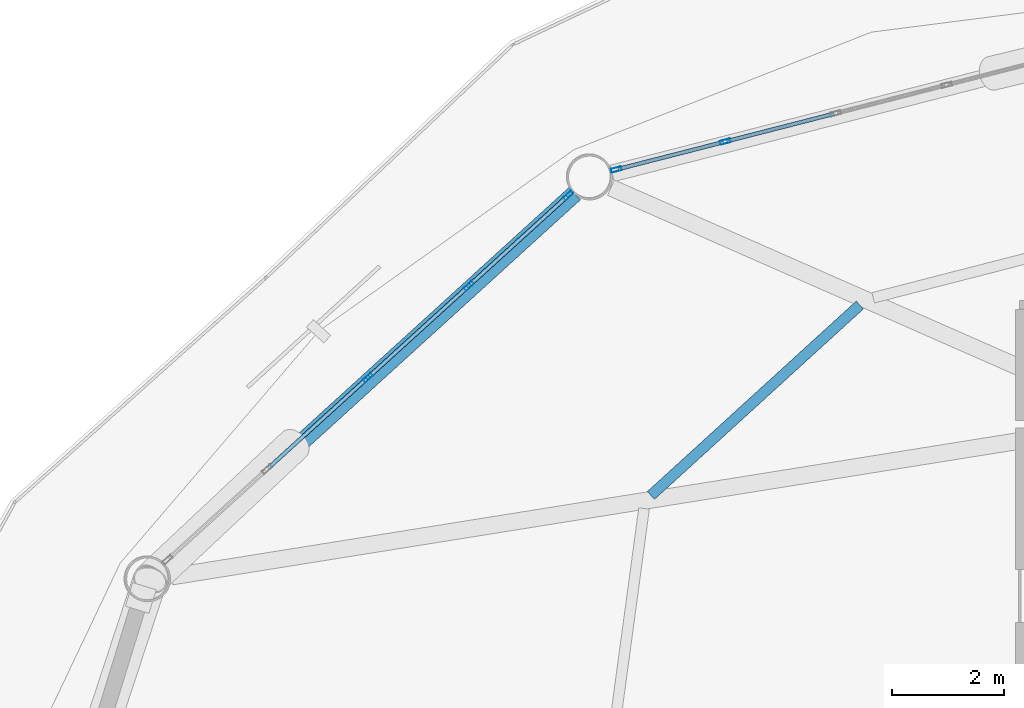
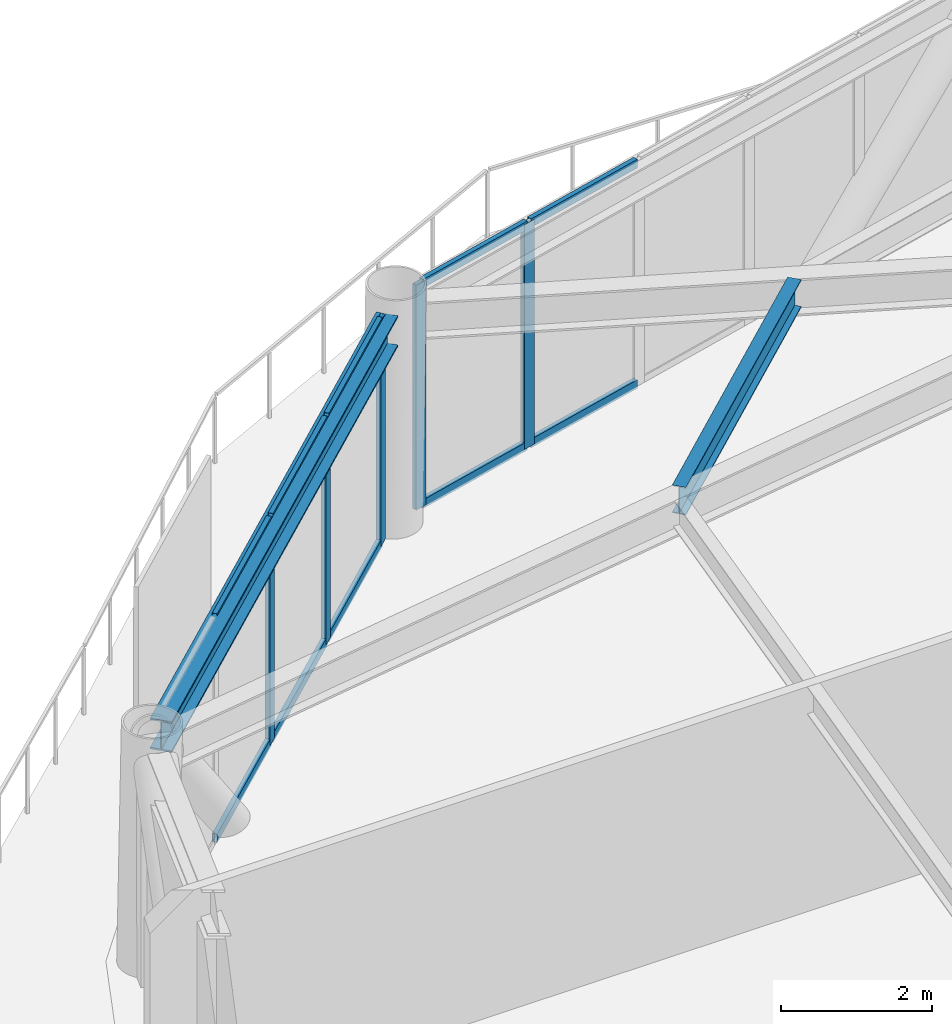
# One storey, part 16 of 26: 15 members, 2 beams, 2 elements without a shape of their own.
"""IFC4 building model written with IfcOpenShell, lengths in metres."""

import ifcopenshell
import ifcopenshell.guid

model = None  # the IFC model being written
_history = None  # IfcOwnerHistory: only IFC2X3 demands one
_inside = {}  # id of a spatial element -> (the spatial element, [elements in it])
_under = {}  # id of a project, library or spatial element -> (it, [spatial elements below it])
_declared = {}  # id of a project -> (the project, [libraries it declares])
_typed = {}  # id of a type object -> (the type object, [elements of that type])
_made_of = {}  # id of a material, layer set ... -> (it, [elements and type objects made of it])


def new_model(schema):
    """Start an empty IFC model of exactly this schema.

    Asked for "IFC4X3", IfcOpenShell would pick the latest addendum, in which some entities
    have other attributes; the version numbers below select the first issue.
    IFC2X3 requires an IfcOwnerHistory on every rooted entity: one is made here for all.
    """
    global model, _history
    if schema == "IFC4X3":
        model = ifcopenshell.file(schema_version=(4, 3, 0, 0))
    else:
        model = ifcopenshell.file(schema=schema)
    _inside.clear()
    _under.clear()
    _declared.clear()
    _typed.clear()
    _made_of.clear()
    _history = None
    if model.schema == "IFC2X3":
        org = make("IfcOrganization", Name="unknown")
        user = make(
            "IfcPersonAndOrganization",
            ThePerson=make("IfcPerson", FamilyName="unknown"),
            TheOrganization=org,
        )
        app = make(
            "IfcApplication",
            ApplicationDeveloper=org,
            Version="unknown",
            ApplicationFullName="unknown",
            ApplicationIdentifier="unknown",
        )
        _history = make(
            "IfcOwnerHistory",
            OwningUser=user,
            OwningApplication=app,
            ChangeAction="ADDED",
            CreationDate=0,
        )
    return model


def make(cls, **values):
    """One entity of the class cls with the attributes given. An attribute that is None is left unset."""
    return model.create_entity(
        cls, **{name: value for name, value in values.items() if value is not None}
    )


def rooted(cls, **values):
    """An entity with a GlobalId (a new one), such as an element, a storey or a relation."""
    return make(cls, GlobalId=ifcopenshell.guid.new(), OwnerHistory=_history, **values)


def si_unit(unit_type, name, prefix=None):
    """IfcSIUnit, for example si_unit("LENGTHUNIT", "METRE", prefix="MILLI")."""
    return make("IfcSIUnit", UnitType=unit_type, Prefix=prefix, Name=name)


def assignment(units):
    """IfcUnitAssignment: the units of a project."""
    return None if units is None else make("IfcUnitAssignment", Units=units)


def point(xyz):
    """IfcCartesianPoint."""
    return None if xyz is None else make("IfcCartesianPoint", Coordinates=xyz)


def direction(xyz):
    """IfcDirection."""
    return None if xyz is None else make("IfcDirection", DirectionRatios=xyz)


def frame(location, z_axis=None, x_axis=None):
    """IfcAxis2Placement3D, a coordinate frame: its origin and axes. An axis left out is left unset."""
    return make(
        "IfcAxis2Placement3D",
        Location=point(location),
        Axis=direction(z_axis),
        RefDirection=direction(x_axis),
    )


def frame_2d(location, x_axis=None):
    """IfcAxis2Placement2D, a coordinate frame in the plane: its origin and x axis."""
    return make(
        "IfcAxis2Placement2D", Location=point(location), RefDirection=direction(x_axis)
    )


def origin():
    """The frame at (0, 0, 0) with its axes left unset."""
    return frame((0.0, 0.0, 0.0))


def origin_2d():
    """The frame at (0, 0) in the plane with its x axis left unset."""
    return frame_2d((0.0, 0.0))


def place(relative_to, where):
    """IfcLocalPlacement: puts the frame where relative to a parent placement (None: the world)."""
    return make(
        "IfcLocalPlacement", PlacementRelTo=relative_to, RelativePlacement=where
    )


def context(
    kind, dimensions, precision=None, world=None, true_north=None, identifier=None
):
    """IfcGeometricRepresentationContext, for example the 3D "Model" context."""
    return make(
        "IfcGeometricRepresentationContext",
        ContextIdentifier=identifier,
        ContextType=kind,
        CoordinateSpaceDimension=dimensions,
        Precision=precision,
        WorldCoordinateSystem=world,
        TrueNorth=true_north,
    )


def subcontext(parent, identifier, kind, view, scale=None):
    """IfcGeometricRepresentationSubContext, for example "Body" below "Model"."""
    return make(
        "IfcGeometricRepresentationSubContext",
        ContextIdentifier=identifier,
        ContextType=kind,
        ParentContext=parent,
        TargetScale=scale,
        TargetView=view,
    )


def project(units=None, contexts=None):
    """IfcProject with its units and contexts."""
    return rooted(
        "IfcProject",
        Name="project",
        RepresentationContexts=contexts,
        UnitsInContext=assignment(units),
    )


def spatial(cls, under=None, at=None, **own):
    """A site, building, storey or space (cls), placed at a placement, below another one or the project."""
    s = rooted(cls, ObjectPlacement=at, **own)
    if under is not None:
        _under.setdefault(under.id(), (under, []))[1].append(s)
    return s


def profile(cls, at=None, kind="AREA", **sizes):
    """A parametric profile (cls). Its sizes go by their IFC names, for example OverallWidth=200.0."""
    return make(cls, ProfileType=kind, Position=at, **sizes)


def hollow_rectangle(**sizes):
    """IfcRectangleHollowProfileDef."""
    return profile("IfcRectangleHollowProfileDef", **sizes)


def i_section(**sizes):
    """IfcIShapeProfileDef."""
    return profile("IfcIShapeProfileDef", **sizes)


def extrude(swept, where, along, depth):
    """IfcExtrudedAreaSolid: the profile swept, set in the frame where, extruded along a direction by depth."""
    return make(
        "IfcExtrudedAreaSolid",
        SweptArea=swept,
        Position=where,
        ExtrudedDirection=direction(along),
        Depth=depth,
    )


def shape(context_of_items, identifier, shape_type, items):
    """IfcShapeRepresentation: the items that make up one representation, for example the "Body"."""
    return make(
        "IfcShapeRepresentation",
        ContextOfItems=context_of_items,
        RepresentationIdentifier=identifier,
        RepresentationType=shape_type,
        Items=items,
    )


def material(Name=None, Category=None):
    """IfcMaterial."""
    return make("IfcMaterial", Name=Name, Category=Category)


def layer(
    of_material, thickness, ventilated=None, Name=None, Category=None, Priority=None
):
    """IfcMaterialLayer: one layer of a wall or slab, of a material (None: an air gap)."""
    return make(
        "IfcMaterialLayer",
        Material=of_material,
        LayerThickness=thickness,
        IsVentilated=ventilated,
        Name=Name,
        Category=Category,
        Priority=Priority,
    )


def layer_set(layers, Name=None):
    """IfcMaterialLayerSet."""
    return make("IfcMaterialLayerSet", MaterialLayers=layers, LayerSetName=Name)


def material_profile(
    of_material, cross_section, Name=None, Category=None, Priority=None
):
    """IfcMaterialProfile: a cross section and its material."""
    return make(
        "IfcMaterialProfile",
        Name=Name,
        Material=of_material,
        Profile=cross_section,
        Priority=Priority,
        Category=Category,
    )


def profile_set(profiles, Name=None, composite=None):
    """IfcMaterialProfileSet."""
    return make(
        "IfcMaterialProfileSet",
        Name=Name,
        MaterialProfiles=profiles,
        CompositeProfile=composite,
    )


def made_of(thing, what):
    """Note that an element or type object is made of a material, layer set ...; save() writes the relation."""
    if what is not None:
        _made_of.setdefault(what.id(), (what, []))[1].append(thing)
    return thing


def type_object(cls, material=None, **own):
    """A type object (cls), such as IfcWallType, which elements share."""
    return made_of(rooted(cls, **own), material)


def element(
    cls,
    number,
    at=None,
    inside=None,
    cuts=None,
    type_object=None,
    material=None,
    context=None,
    identifier="Body",
    shape_type=None,
    held_by="IfcProductDefinitionShape",
    body=None,
    shapes=None,
    **own,
):
    """One element of the class cls, such as IfcWall. Its Tag is "e" and its number.

    at: its placement. inside: the storey or other place that contains it. cuts: it is an
    opening in that element (IfcRelVoidsElement). A single representation is given by context,
    identifier, shape_type and body (its items); several are given by shapes. held_by: the class
    of the entity that holds the representations. save() writes the other relations.
    """
    e = rooted(cls, Tag="e%d" % number, ObjectPlacement=at, **own)
    if body is not None:
        shapes = [shape(context, identifier, shape_type, body)]
    if shapes is not None:
        e.Representation = make(held_by, Representations=shapes)
    if inside is not None:
        _inside.setdefault(inside.id(), (inside, []))[1].append(e)
    if cuts is not None:
        rooted(
            "IfcRelVoidsElement", RelatingBuildingElement=cuts, RelatedOpeningElement=e
        )
    if type_object is not None:
        _typed.setdefault(type_object.id(), (type_object, []))[1].append(e)
    return made_of(e, material)


def aggregate(whole, parts):
    """IfcRelAggregates: a whole, such as a stair, and the parts it consists of."""
    return rooted("IfcRelAggregates", RelatingObject=whole, RelatedObjects=parts)


def save(model, path):
    """Write the relations noted so far, then the file.

    IfcRelAggregates (storeys below a building ...), IfcRelContainedInSpatialStructure (elements
    in a storey), IfcRelDefinesByType, IfcRelAssociatesMaterial and IfcRelDeclares: one each for
    every whole, place, type object, material and project.
    """
    for whole, parts in _under.values():
        aggregate(whole, parts)
    for where, things in _inside.values():
        rooted(
            "IfcRelContainedInSpatialStructure",
            RelatedElements=things,
            RelatingStructure=where,
        )
    for kind, things in _typed.values():
        rooted("IfcRelDefinesByType", RelatedObjects=things, RelatingType=kind)
    for what, things in _made_of.values():
        rooted("IfcRelAssociatesMaterial", RelatedObjects=things, RelatingMaterial=what)
    for by, libraries in _declared.values():
        rooted("IfcRelDeclares", RelatingContext=by, RelatedDefinitions=libraries)
    model.write(path)


model = new_model("IFC4")

# Units and contexts
model_context = context("Model", 3, precision=1e-05, world=origin(), true_north=direction((0.0, 1.0)))
body_context = subcontext(model_context, "Body", "Model", "MODEL_VIEW")
ifc_project = project(units=[si_unit("LENGTHUNIT", "METRE"), si_unit("AREAUNIT", "SQUARE_METRE"), si_unit("VOLUMEUNIT", "CUBIC_METRE"), si_unit("PLANEANGLEUNIT", "RADIAN"), si_unit("MASSUNIT", "GRAM", prefix="KILO")], contexts=[model_context])

# Site, building, storey
site_placement = place(None, origin())
site = spatial("IfcSite", under=ifc_project, at=site_placement, CompositionType="ELEMENT")
building_placement = place(site_placement, origin())
building = spatial("IfcBuilding", under=site, at=building_placement, Name="Varnakorn Sky Granary", CompositionType="ELEMENT")
storey_placement = place(building_placement, frame((0.0, 0.0, 95.39990234375)))
storey = spatial("IfcBuildingStorey", under=building, at=storey_placement, Name="L23", CompositionType="ELEMENT", Elevation=95.39990234375)

# Beams
ifc_material_1 = material(Name="Steel S355JR", Category="steel")
ifc_material_profile_1 = material_profile(ifc_material_1, i_section(OverallWidth=0.18994140625, OverallDepth=0.449951171875, WebThickness=0.009521484375, FlangeThickness=0.0146484375, at=origin_2d()), Name="IPE 450")
ifc_profile_set_1 = profile_set([ifc_material_profile_1], Name="Steel S355JR")
beam_type_1 = type_object("IfcBeamType", Name="BM-SEC-Z2", PredefinedType="BEAM", material=ifc_profile_set_1)
beam_1_placement = place(storey_placement, frame((-7.455322265625, 14.6962890625, 3.4150390625), z_axis=(-0.739062047313, -0.673637358095, 0.0), x_axis=(0.673637358095, -0.739062047313, 0.0)))
element("IfcBeam", 1, at=beam_1_placement, inside=storey, type_object=beam_type_1, Name="Secondary Floor Chord Beam MSB05 L23", PredefinedType="BEAM", context=body_context, shape_type="SweptSolid", body=[
    extrude(i_section(OverallWidth=0.18994140625, OverallDepth=0.449951171875, WebThickness=0.009521484375, FlangeThickness=0.0146484375, at=origin_2d()), origin(), (0.0, 0.0, 1.0), 5.048828125),
])
ifc_material_profile_2 = material_profile(ifc_material_1, i_section(OverallWidth=0.300048828125, OverallDepth=0.5, WebThickness=0.014404296875, FlangeThickness=0.028076171875, at=origin_2d()), Name="HE 500 B")
ifc_profile_set_2 = profile_set([ifc_material_profile_2], Name="Steel S355JR")
beam_type_2 = type_object("IfcBeamType", Name="BM-SPD-Z2", PredefinedType="SPANDREL", material=ifc_profile_set_2)
beam_2_placement = place(storey_placement, frame((-12.547119140625, 16.686279296875, 3.39013671875), z_axis=(-0.739721624691, -0.67291300921, 0.0), x_axis=(0.67291300921, -0.739721624691, 0.0)))
element("IfcBeam", 2, at=beam_2_placement, inside=storey, type_object=beam_type_2, Name="Perimeter Spandrel Ring Beam RB05 L23", PredefinedType="SPANDREL", context=body_context, shape_type="SweptSolid", body=[
    extrude(i_section(OverallWidth=0.300048828125, OverallDepth=0.5, WebThickness=0.014404296875, FlangeThickness=0.028076171875, at=origin_2d()), origin(), (0.0, 0.0, 1.0), 9.863037109375),
])

# Curtain wall, members
ifc_material_2 = material(Name="Anodised Bronze Aluminium Alloy 6063-T6", Category="aluminium")
ifc_layer = layer(ifc_material_2, 0.18994140625, Name="Anodised Bronze Aluminium Alloy 6063-T6")
ifc_layer_set = layer_set([ifc_layer], Name="Anodised Bronze Aluminium Alloy 6063-T6")
curtain_wall_type = type_object("IfcCurtainWallType", Name="CW-FRM-1", PredefinedType="USERDEFINED", material=ifc_layer_set)
curtain_wall_1_placement = place(storey_placement, origin())
curtain_wall_1 = element("IfcCurtainWall", 3, at=curtain_wall_1_placement, inside=storey, type_object=curtain_wall_type, Name="Unitised Curtain Wall CW3 CW-L23-B04", ObjectType="CURTAIN WALL", PredefinedType="USERDEFINED")
ifc_material_profile_3 = material_profile(ifc_material_2, hollow_rectangle(XDim=0.070068359375, YDim=0.18505859375, WallThickness=0.00390625, at=origin_2d()), Name="ALU MULL 70x185")
ifc_profile_set_3 = profile_set([ifc_material_profile_3], Name="Anodised Bronze Aluminium Alloy 6063-T6")
member_type_1 = type_object("IfcMemberType", Name="CW-FRM-1-MULL", PredefinedType="MULLION", material=ifc_profile_set_3)
member_1_placement = place(storey_placement, frame((-11.80517578125, 17.11572265625, 0.0), z_axis=(0.0, 0.0, 1.0), x_axis=(-0.248101423339, 0.968734062443, 0.0)))
member_1 = element("IfcMember", 4, at=member_1_placement, type_object=member_type_1, Name="CW3 mullion 1", PredefinedType="MULLION", context=body_context, shape_type="SweptSolid", body=[
    extrude(hollow_rectangle(XDim=0.070068359375, YDim=0.18505859375, WallThickness=0.00390625, at=origin_2d()), origin(), (0.0, 0.0, 1.0), 3.64013671875),
])
member_2_placement = place(storey_placement, frame((-9.861572265625, 17.613525390625, 0.0), z_axis=(0.0, 0.0, 1.0), x_axis=(-0.248101423339, 0.968734062443, 0.0)))
member_2 = element("IfcMember", 5, at=member_2_placement, type_object=member_type_1, Name="CW3 mullion 2", PredefinedType="MULLION", context=body_context, shape_type="SweptSolid", body=[
    extrude(hollow_rectangle(XDim=0.070068359375, YDim=0.18505859375, WallThickness=0.00390625, at=origin_2d()), origin(), (0.0, 0.0, 1.0), 3.64013671875),
])

curtain_wall_2_placement = place(storey_placement, origin())
curtain_wall_2 = element("IfcCurtainWall", 6, at=curtain_wall_2_placement, inside=storey, type_object=curtain_wall_type, Name="Unitised Curtain Wall CW3 CW-L23-B05", ObjectType="CURTAIN WALL", PredefinedType="USERDEFINED")
member_3_placement = place(storey_placement, frame((-16.24072265625, 13.400634765625, 0.0), z_axis=(0.0, 0.0, 1.0), x_axis=(-0.67267177226, 0.739941002246, 0.0)))
member_3 = element("IfcMember", 7, at=member_3_placement, type_object=member_type_1, Name="CW3 mullion 3", PredefinedType="MULLION", context=body_context, shape_type="SweptSolid", body=[
    extrude(hollow_rectangle(XDim=0.070068359375, YDim=0.18505859375, WallThickness=0.00390625, at=origin_2d()), origin(), (0.0, 0.0, 1.0), 3.64013671875),
])
member_4_placement = place(storey_placement, frame((-14.4384765625, 15.0390625, 0.0), z_axis=(0.0, 0.0, 1.0), x_axis=(-0.67267177226, 0.739941002246, 0.0)))
member_4 = element("IfcMember", 8, at=member_4_placement, type_object=member_type_1, Name="CW3 mullion 4", PredefinedType="MULLION", context=body_context, shape_type="SweptSolid", body=[
    extrude(hollow_rectangle(XDim=0.070068359375, YDim=0.18505859375, WallThickness=0.00390625, at=origin_2d()), origin(), (0.0, 0.0, 1.0), 3.64013671875),
])
member_5_placement = place(storey_placement, frame((-12.662109375, 16.654052734375, 0.0), z_axis=(0.0, 0.0, 1.0), x_axis=(-0.67267177226, 0.739941002246, 0.0)))
member_5 = element("IfcMember", 9, at=member_5_placement, type_object=member_type_1, Name="CW3 mullion 5", PredefinedType="MULLION", context=body_context, shape_type="SweptSolid", body=[
    extrude(hollow_rectangle(XDim=0.070068359375, YDim=0.18505859375, WallThickness=0.00390625, at=origin_2d()), origin(), (0.0, 0.0, 1.0), 3.64013671875),
])

# Member
ifc_material_profile_4 = material_profile(ifc_material_2, hollow_rectangle(XDim=0.070068359375, YDim=0.139892578125, WallThickness=0.00341796875, at=origin_2d()), Name="ALU TRAN 70x140")
ifc_profile_set_4 = profile_set([ifc_material_profile_4], Name="Anodised Bronze Aluminium Alloy 6063-T6")
member_type_2 = type_object("IfcMemberType", Name="CW-FRM-1-TRAN", PredefinedType="USERDEFINED", material=ifc_profile_set_4)
member_6_placement = place(storey_placement, frame((-11.771240234375, 17.12451171875, 0.03515625), z_axis=(0.96875481034, 0.248020397233, 0.0), x_axis=(-0.248020397233, 0.96875481034, 0.0)))
member_6 = element("IfcMember", 10, at=member_6_placement, type_object=member_type_2, Name="CW3 transom 1.1", ObjectType="TRANSOM", PredefinedType="USERDEFINED", context=body_context, shape_type="SweptSolid", body=[
    extrude(hollow_rectangle(XDim=0.070068359375, YDim=0.139892578125, WallThickness=0.00341796875, at=origin_2d()), origin(), (0.0, 0.0, 1.0), 1.936279296875),
])

member_7_placement = place(storey_placement, frame((-11.771240234375, 17.12451171875, 3.60498046875), z_axis=(0.96875481034, 0.248020397233, 0.0), x_axis=(-0.248020397233, 0.96875481034, 0.0)))
member_7 = element("IfcMember", 11, at=member_7_placement, type_object=member_type_2, Name="CW3 transom 1.2", ObjectType="TRANSOM", PredefinedType="USERDEFINED", context=body_context, shape_type="SweptSolid", body=[
    extrude(hollow_rectangle(XDim=0.070068359375, YDim=0.139892578125, WallThickness=0.00341796875, at=origin_2d()), origin(), (0.0, 0.0, 1.0), 1.936279296875),
])

member_8_placement = place(storey_placement, frame((-9.82763671875, 17.622314453125, 0.03515625), z_axis=(0.968734889242, 0.248098195007, 0.0), x_axis=(-0.248098195007, 0.968734889242, 0.0)))
member_8 = element("IfcMember", 12, at=member_8_placement, type_object=member_type_2, Name="CW3 transom 2.1", ObjectType="TRANSOM", PredefinedType="USERDEFINED", context=body_context, shape_type="SweptSolid", body=[
    extrude(hollow_rectangle(XDim=0.070068359375, YDim=0.139892578125, WallThickness=0.00341796875, at=origin_2d()), origin(), (0.0, 0.0, 1.0), 1.970947265625),
])

member_9_placement = place(storey_placement, frame((-9.82763671875, 17.622314453125, 3.60498046875), z_axis=(0.968734889242, 0.248098195007, 0.0), x_axis=(-0.248098195007, 0.968734889242, 0.0)))
member_9 = element("IfcMember", 13, at=member_9_placement, type_object=member_type_2, Name="CW3 transom 2.2", ObjectType="TRANSOM", PredefinedType="USERDEFINED", context=body_context, shape_type="SweptSolid", body=[
    extrude(hollow_rectangle(XDim=0.070068359375, YDim=0.139892578125, WallThickness=0.00341796875, at=origin_2d()), origin(), (0.0, 0.0, 1.0), 1.970947265625),
])

aggregate(curtain_wall_1, [member_1, member_2, member_6, member_7, member_8, member_9])

member_10_placement = place(storey_placement, frame((-18.01708984375, 11.785888671875, 0.03515625), z_axis=(0.739949412759, 0.672662520553, 0.0), x_axis=(-0.672662520553, 0.739949412759, 0.0)))
member_10 = element("IfcMember", 14, at=member_10_placement, type_object=member_type_2, Name="CW3 transom 2.1", ObjectType="TRANSOM", PredefinedType="USERDEFINED", context=body_context, shape_type="SweptSolid", body=[
    extrude(hollow_rectangle(XDim=0.070068359375, YDim=0.139892578125, WallThickness=0.00341796875, at=origin_2d()), origin(), (0.0, 0.0, 1.0), 2.36572265625),
])

member_11_placement = place(storey_placement, frame((-18.01708984375, 11.785888671875, 3.60498046875), z_axis=(0.739949412759, 0.672662520553, 0.0), x_axis=(-0.672662520553, 0.739949412759, 0.0)))
member_11 = element("IfcMember", 15, at=member_11_placement, type_object=member_type_2, Name="CW3 transom 2.2", ObjectType="TRANSOM", PredefinedType="USERDEFINED", context=body_context, shape_type="SweptSolid", body=[
    extrude(hollow_rectangle(XDim=0.070068359375, YDim=0.139892578125, WallThickness=0.00341796875, at=origin_2d()), origin(), (0.0, 0.0, 1.0), 2.36572265625),
])

member_12_placement = place(storey_placement, frame((-16.21484375, 13.42431640625, 0.03515625), z_axis=(0.739949412759, 0.672662520553, 0.0), x_axis=(-0.672662520553, 0.739949412759, 0.0)))
member_12 = element("IfcMember", 16, at=member_12_placement, type_object=member_type_2, Name="CW3 transom 3.1", ObjectType="TRANSOM", PredefinedType="USERDEFINED", context=body_context, shape_type="SweptSolid", body=[
    extrude(hollow_rectangle(XDim=0.070068359375, YDim=0.139892578125, WallThickness=0.00341796875, at=origin_2d()), origin(), (0.0, 0.0, 1.0), 2.36572265625),
])

member_13_placement = place(storey_placement, frame((-16.21484375, 13.42431640625, 3.60498046875), z_axis=(0.739949412759, 0.672662520553, 0.0), x_axis=(-0.672662520553, 0.739949412759, 0.0)))
member_13 = element("IfcMember", 17, at=member_13_placement, type_object=member_type_2, Name="CW3 transom 3.2", ObjectType="TRANSOM", PredefinedType="USERDEFINED", context=body_context, shape_type="SweptSolid", body=[
    extrude(hollow_rectangle(XDim=0.070068359375, YDim=0.139892578125, WallThickness=0.00341796875, at=origin_2d()), origin(), (0.0, 0.0, 1.0), 2.36572265625),
])

member_14_placement = place(storey_placement, frame((-14.41259765625, 15.062744140625, 0.03515625), z_axis=(0.739930593984, 0.672683221201, 0.0), x_axis=(-0.672683221201, 0.739930593984, 0.0)))
member_14 = element("IfcMember", 18, at=member_14_placement, type_object=member_type_2, Name="CW3 transom 4.1", ObjectType="TRANSOM", PredefinedType="USERDEFINED", context=body_context, shape_type="SweptSolid", body=[
    extrude(hollow_rectangle(XDim=0.070068359375, YDim=0.139892578125, WallThickness=0.00341796875, at=origin_2d()), origin(), (0.0, 0.0, 1.0), 2.330810546875),
])

member_15_placement = place(storey_placement, frame((-14.41259765625, 15.062744140625, 3.60498046875), z_axis=(0.739930593984, 0.672683221201, 0.0), x_axis=(-0.672683221201, 0.739930593984, 0.0)))
member_15 = element("IfcMember", 19, at=member_15_placement, type_object=member_type_2, Name="CW3 transom 4.2", ObjectType="TRANSOM", PredefinedType="USERDEFINED", context=body_context, shape_type="SweptSolid", body=[
    extrude(hollow_rectangle(XDim=0.070068359375, YDim=0.139892578125, WallThickness=0.00341796875, at=origin_2d()), origin(), (0.0, 0.0, 1.0), 2.330810546875),
])

aggregate(curtain_wall_2, [member_3, member_4, member_5, member_10, member_11, member_12, member_13, member_14, member_15])

save(model, "model.ifc")
